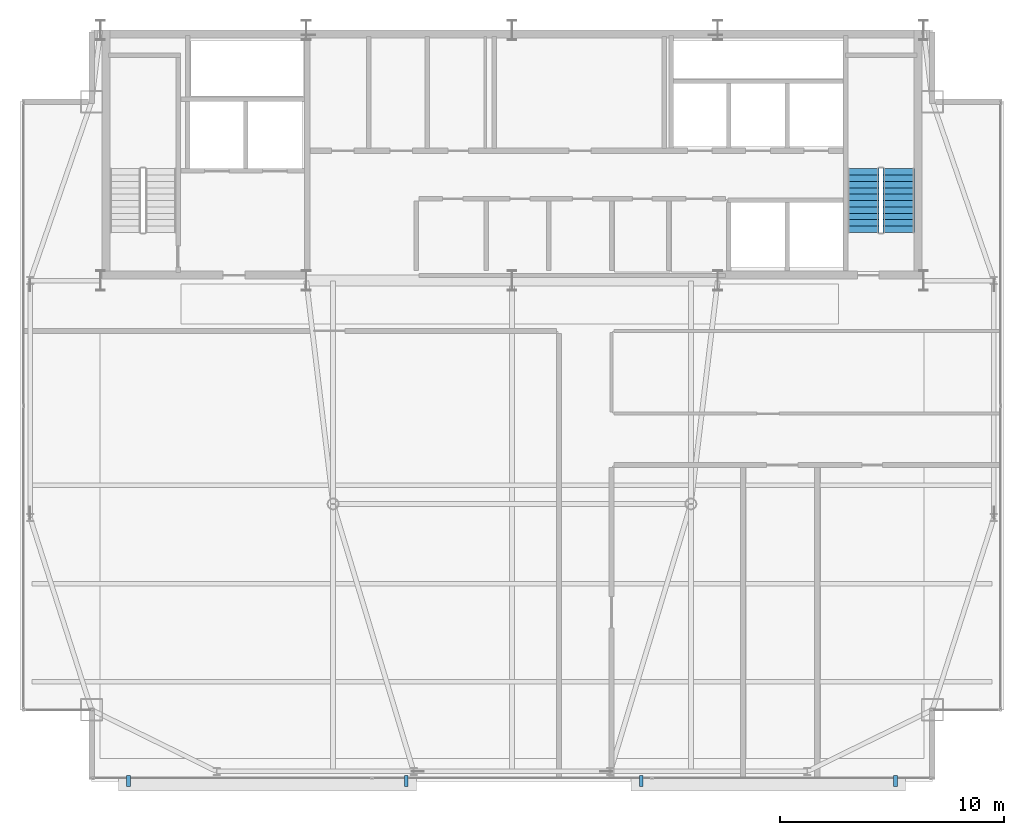
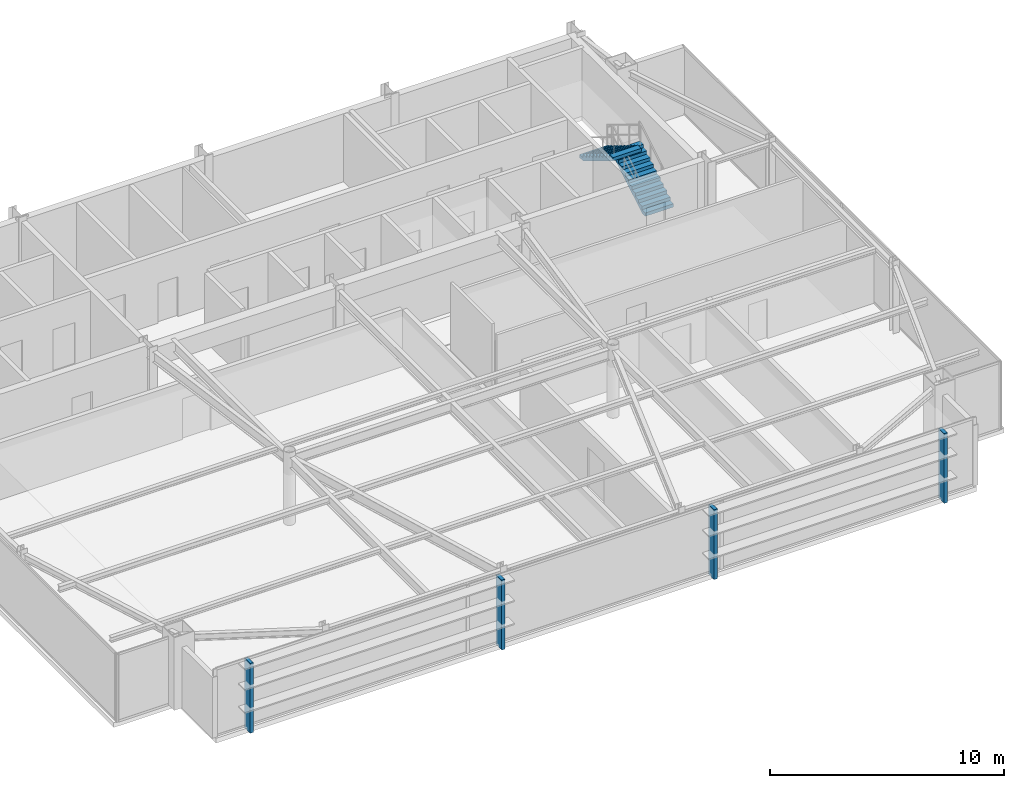
# One storey, part 23 of 24: 4 discrete accessories, 2 stair flights, 1 element without a shape of its own.
"""IFC4 building model written with IfcOpenShell, lengths in metres."""

from ifc_helpers import new_model, si_unit, direction, frame, origin, origin_2d, place, context, subcontext, project, spatial, polyline, rectangle, outline, extrude, source, transform, mapped, material, layer, layer_set, type_object, type_shapes, element, aggregate, save


model = new_model("IFC4")

# Units and contexts
model_context = context("Model", 3, precision=1e-05, world=origin(), true_north=direction((0.0, 1.0)))
body_context = subcontext(model_context, "Body", "Model", "MODEL_VIEW")
ifc_project = project(units=[si_unit("LENGTHUNIT", "METRE"), si_unit("AREAUNIT", "SQUARE_METRE"), si_unit("VOLUMEUNIT", "CUBIC_METRE"), si_unit("PLANEANGLEUNIT", "RADIAN"), si_unit("MASSUNIT", "GRAM", prefix="KILO")], contexts=[model_context])

# Site, building, storey
site_placement = place(None, origin())
site = spatial("IfcSite", under=ifc_project, at=site_placement, CompositionType="ELEMENT")
building_placement = place(site_placement, origin())
building = spatial("IfcBuilding", under=site, at=building_placement, Name="Varnel Quay Broadcast Tower", CompositionType="ELEMENT")
storey_placement = place(building_placement, frame((0.0, 0.0, 285.0)))
storey = spatial("IfcBuildingStorey", under=building, at=storey_placement, Name="L71", CompositionType="ELEMENT", Elevation=285.0)

# Stair, stair flights
ifc_material_1 = material(Name="Precast Structural Concrete C40/50", Category="concrete")
stair_type = type_object("IfcStairType", Name="Stair_ST-02", PredefinedType="HALF_TURN_STAIR", material=ifc_material_1)
stair_placement = place(storey_placement, origin())
stair = element("IfcStair", 1, at=stair_placement, inside=storey, type_object=stair_type, Name="L71 East Core Exit Stair 2", PredefinedType="HALF_TURN_STAIR")
stair_flight_type = type_object("IfcStairFlightType", Name="Flight_ST-02", PredefinedType="STRAIGHT", material=ifc_material_1)
stair_flight_1_placement = place(storey_placement, frame((51.300048828125, 37.75, 0.0), z_axis=(0.0, 0.0, 1.0), x_axis=(0.0, 1.0, 0.0)))
stair_flight_1 = element("IfcStairFlight", 2, at=stair_flight_1_placement, type_object=stair_flight_type, Name="ST-02 flight 1", NumberOfRisers=11, NumberOfTreads=10, PredefinedType="STRAIGHT", RiserHeight=0.172727273, TreadLength=0.285, context=body_context, shape_type="SweptSolid", body=[
    extrude(outline(polyline([(0.0, 0.0), (0.0, 0.172607421875), (0.284912109375, 0.172607421875), (0.284912109375, 0.345458984375), (0.570068359375, 0.345458984375), (0.570068359375, 0.51806640625), (0.85498046875, 0.51806640625), (0.85498046875, 0.69091796875), (1.139892578125, 0.69091796875), (1.139892578125, 0.863525390625), (1.425048828125, 0.863525390625), (1.425048828125, 1.036376953125), (1.7099609375, 1.036376953125), (1.7099609375, 1.208984375), (1.9951171875, 1.208984375), (1.9951171875, 1.3818359375), (2.280029296875, 1.3818359375), (2.280029296875, 1.554443359375), (2.56494140625, 1.554443359375), (2.56494140625, 1.727294921875), (2.85009765625, 1.727294921875), (2.85009765625, 1.89990234375), (2.85009765625, 1.552001953125), (0.289306640625, 0.0), (0.0, 0.0)])), frame((0.0, 0.699951171875, 0.0), z_axis=(0.0, -1.0, 0.0), x_axis=(1.0, 0.0, 0.0)), (0.0, 0.0, 1.0), 1.39990234375),
])
stair_flight_2_placement = place(storey_placement, frame((49.699951171875, 40.60009765625, 1.89990234375), z_axis=(0.0, 0.0, 1.0), x_axis=(0.0, -1.0, 0.0)))
stair_flight_2 = element("IfcStairFlight", 3, at=stair_flight_2_placement, type_object=stair_flight_type, Name="ST-02 flight 2", NumberOfRisers=11, NumberOfTreads=10, PredefinedType="STRAIGHT", RiserHeight=0.172727273, TreadLength=0.285, context=body_context, shape_type="SweptSolid", body=[
    extrude(outline(polyline([(0.0, 0.0), (0.0, 0.172607421875), (0.284912109375, 0.172607421875), (0.284912109375, 0.345458984375), (0.570068359375, 0.345458984375), (0.570068359375, 0.51806640625), (0.85498046875, 0.51806640625), (0.85498046875, 0.69091796875), (1.139892578125, 0.69091796875), (1.139892578125, 0.863525390625), (1.425048828125, 0.863525390625), (1.425048828125, 1.036376953125), (1.7099609375, 1.036376953125), (1.7099609375, 1.208984375), (1.9951171875, 1.208984375), (1.9951171875, 1.3818359375), (2.280029296875, 1.3818359375), (2.280029296875, 1.554443359375), (2.56494140625, 1.554443359375), (2.56494140625, 1.727294921875), (2.85009765625, 1.727294921875), (2.85009765625, 1.89990234375), (2.85009765625, 1.552001953125), (0.289306640625, 0.0), (0.0, 0.0)])), frame((0.0, 0.699951171875, 0.0), z_axis=(0.0, -1.0, 0.0), x_axis=(1.0, 0.0, 0.0)), (0.0, 0.0, 1.0), 1.39990234375),
])
aggregate(stair, [stair_flight_1, stair_flight_2])

# Discrete accessories
ifc_material_2 = material(Name="Anodised Bronze Aluminium 6063-T6", Category="aluminium")
ifc_layer = layer(ifc_material_2, 0.47998046875, Name="Anodised Bronze Aluminium 6063-T6")
ifc_layer_set = layer_set([ifc_layer], Name="Anodised Bronze Aluminium 6063-T6")
discrete_accessory_type = type_object("IfcDiscreteAccessoryType", Name="Acc_FacadeBracket", PredefinedType="BRACKET", material=ifc_layer_set)
shared_shape = source(origin(), body_context, "Body", "SweptSolid", [
    extrude(rectangle(XDim=0.159912109375, YDim=0.47998046875, at=origin_2d()), origin(), (0.0, 0.0, 1.0), 3.64990234375),
])
type_shapes(discrete_accessory_type, [shared_shape])
for number, where, z_axis, x_axis, name in (
    (4, (16.85009765625, 13.219970703125, -0.14990234375), (0.0, 0.0, 1.0), (1.0, 0.0, 0.0), "L71 Lobe 1 Louvre Support Bracket 1"),
    (5, (29.279052734375, 13.219970703125, -0.14990234375), (0.0, 0.0, 1.0), (1.0, 0.0, 0.0), "L71 Lobe 1 Louvre Support Bracket 2"),
    (6, (39.779052734375, 13.219970703125, -0.14990234375), (0.0, 0.0, 1.0), (1.0, 0.0, 0.0), "L71 Lobe 2 Louvre Support Bracket 1"),
    (7, (51.14990234375, 13.219970703125, -0.14990234375), (0.0, 0.0, 1.0), (1.0, 0.0, 0.0), "L71 Lobe 2 Louvre Support Bracket 2"),
):
    element("IfcDiscreteAccessory", number, at=place(storey_placement, frame(where, z_axis=z_axis, x_axis=x_axis)), inside=storey, type_object=discrete_accessory_type, Name=name, PredefinedType="BRACKET", context=body_context, shape_type="MappedRepresentation", body=[
        mapped(shared_shape, transform((0.0, 0.0, 0.0), x_axis=(1.0, 0.0, 0.0), y_axis=(0.0, 1.0, 0.0), z_axis=(0.0, 0.0, 1.0), scale=1.0)),
    ])

save(model, "model.ifc")
